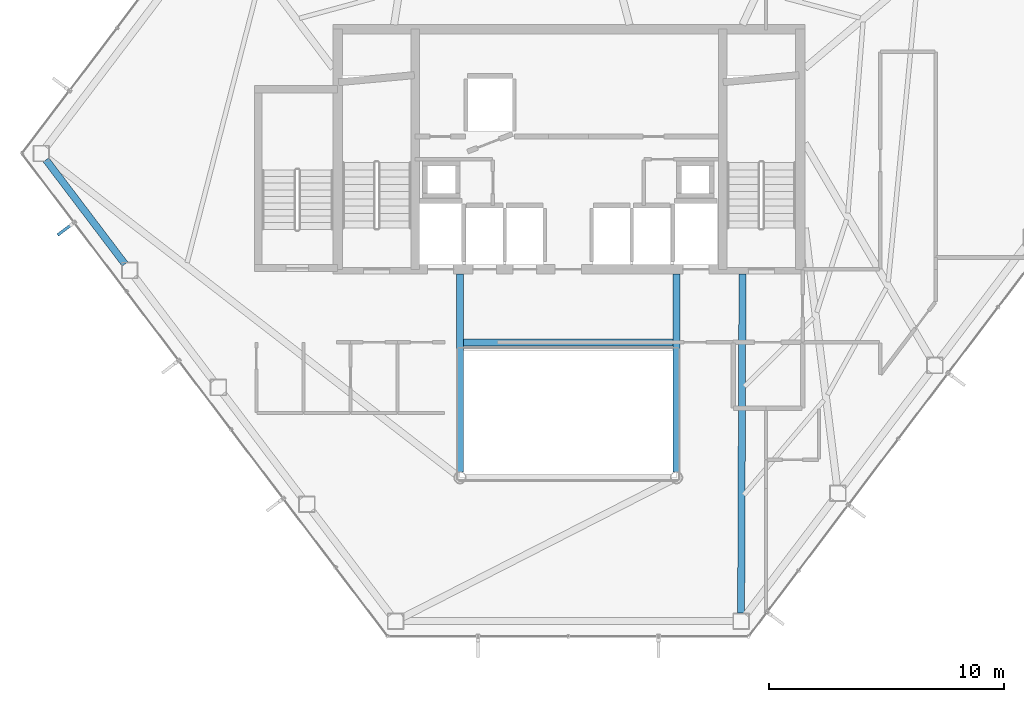
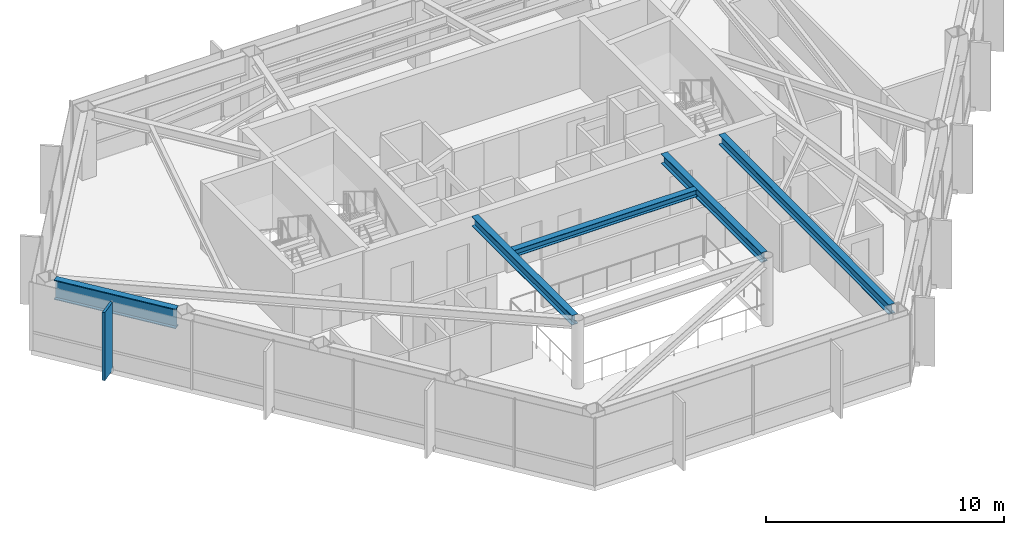
# One storey, part 9 of 28: 5 beams, 1 member, 1 element without a shape of its own.
"""IFC4 building model written with IfcOpenShell, lengths in metres."""

from ifc_helpers import new_model, si_unit, direction, frame, origin, origin_2d, place, context, subcontext, project, spatial, rectangle, i_section, extrude, material, layer, layer_set, material_profile, profile_set, type_object, element, aggregate, save


model = new_model("IFC4")

# Units and contexts
model_context = context("Model", 3, precision=1e-05, world=origin(), true_north=direction((0.0, 1.0)))
body_context = subcontext(model_context, "Body", "Model", "MODEL_VIEW")
ifc_project = project(units=[si_unit("LENGTHUNIT", "METRE"), si_unit("AREAUNIT", "SQUARE_METRE"), si_unit("VOLUMEUNIT", "CUBIC_METRE"), si_unit("PLANEANGLEUNIT", "RADIAN"), si_unit("MASSUNIT", "GRAM", prefix="KILO")], contexts=[model_context])

# Site, building, storey
site_placement = place(None, origin())
site = spatial("IfcSite", under=ifc_project, at=site_placement, CompositionType="ELEMENT")
building_placement = place(site_placement, origin())
building = spatial("IfcBuilding", under=site, at=building_placement, Name="Zarrinselat Tower", CompositionType="ELEMENT")
storey_placement = place(building_placement, frame((0.0, 0.0, 168.300048828125)))
storey = spatial("IfcBuildingStorey", under=building, at=storey_placement, Name="L41", CompositionType="ELEMENT", Elevation=168.300048828125)

# Beams
ifc_material_1 = material(Name="Steel S355J2", Category="steel")
ifc_material_profile_1 = material_profile(ifc_material_1, i_section(OverallWidth=0.300048828125, OverallDepth=0.35009765625, WebThickness=0.010009765625, FlangeThickness=0.017578125, at=origin_2d()), Name="HEA 360")
ifc_profile_set_1 = profile_set([ifc_material_profile_1], Name="Steel S355J2")
beam_type_1 = type_object("IfcBeamType", Name="BM-HEA360", PredefinedType="LINTEL", material=ifc_profile_set_1)
beam_1_placement = place(storey_placement, frame((33.93994140625, 30.14990234375, 3.324951171875), z_axis=(1.0, 0.0, 0.0), x_axis=(0.0, 1.0, 0.0)))
element("IfcBeam", 1, at=beam_1_placement, inside=storey, type_object=beam_type_1, Name="L41 Lift Lobby Ceiling Beam", PredefinedType="LINTEL", context=body_context, shape_type="SweptSolid", body=[
    extrude(i_section(OverallWidth=0.300048828125, OverallDepth=0.35009765625, WebThickness=0.010009765625, FlangeThickness=0.017578125, at=origin_2d()), origin(), (0.0, 0.0, 1.0), 8.920166015625),
])
ifc_material_2 = material(Name="Steel S355J2", Category="steel")
ifc_material_profile_2 = material_profile(ifc_material_2, i_section(OverallWidth=0.300048828125, OverallDepth=0.5, WebThickness=0.014404296875, FlangeThickness=0.028076171875, at=origin_2d()), Name="HEB 500")
ifc_profile_set_2 = profile_set([ifc_material_profile_2], Name="Steel S355J2")
beam_type_2 = type_object("IfcBeamType", Name="BM-HEB500", PredefinedType="BEAM", material=ifc_profile_set_2)
for number, where, z_axis, x_axis, name in (
    (2, (33.800048828125, 24.639892578125, 3.25), (0.0, 1.0, 0.0), (-1.0, 0.0, 0.0), "L41 Atrium Edge Beam W"),
    (3, (43.0, 24.639892578125, 3.25), (0.0, 1.0, 0.0), (-1.0, 0.0, 0.0), "L41 Atrium Edge Beam E"),
):
    element("IfcBeam", number, at=place(storey_placement, frame(where, z_axis=z_axis, x_axis=x_axis)), inside=storey, type_object=beam_type_2, Name=name, PredefinedType="BEAM", context=body_context, shape_type="SweptSolid", body=[
        extrude(i_section(OverallWidth=0.300048828125, OverallDepth=0.5, WebThickness=0.014404296875, FlangeThickness=0.028076171875, at=origin_2d()), origin(), (0.0, 0.0, 1.0), 8.420166015625),
    ])
beam_2_placement = place(storey_placement, frame((45.74072265625, 18.6552734375, 3.25), z_axis=(0.004118469529, 0.999991519068, 0.0), x_axis=(-0.999991519068, 0.004118469529, 0.0)))
element("IfcBeam", 4, at=beam_2_placement, inside=storey, type_object=beam_type_2, Name="L41 Radial Primary Girder RG11", PredefinedType="BEAM", context=body_context, shape_type="SweptSolid", body=[
    extrude(i_section(OverallWidth=0.300048828125, OverallDepth=0.5, WebThickness=0.014404296875, FlangeThickness=0.028076171875, at=origin_2d()), origin(), (0.0, 0.0, 1.0), 14.405029296875),
])
ifc_material_3 = material(Name="Steel S460M", Category="steel")
ifc_material_profile_3 = material_profile(ifc_material_3, i_section(OverallWidth=0.302001953125, OverallDepth=1.008056640625, WebThickness=0.02099609375, FlangeThickness=0.0400390625, at=origin_2d()), Name="HEM 1000")
ifc_profile_set_3 = profile_set([ifc_material_profile_3], Name="Steel S460M")
beam_type_3 = type_object("IfcBeamType", Name="BM-HEM1000", PredefinedType="BEAM", material=ifc_profile_set_3)
beam_3_placement = place(storey_placement, frame((16.21337890625, 37.901611328125, 2.995849609375), z_axis=(0.60386022629, -0.797090225198, 0.0), x_axis=(0.797090225198, 0.60386022629, 0.0)))
element("IfcBeam", 5, at=beam_3_placement, inside=storey, type_object=beam_type_3, Name="L41 Perimeter Spandrel Girder SP06", PredefinedType="BEAM", context=body_context, shape_type="SweptSolid", body=[
    extrude(i_section(OverallWidth=0.302001953125, OverallDepth=1.008056640625, WebThickness=0.02099609375, FlangeThickness=0.0400390625, at=origin_2d()), origin(), (0.0, 0.0, 1.0), 5.555419921875),
])

# Curtain wall, member
ifc_material_4 = material(Name="Extruded Aluminium Alloy EN AW-6063 T6", Category="aluminium")
ifc_layer = layer(ifc_material_4, 0.175048828125)
ifc_layer_set = layer_set([ifc_layer], Name="Extruded Aluminium Alloy EN AW-6063 T6")
curtain_wall_type = type_object("IfcCurtainWallType", Name="CWS-HTL", PredefinedType="NOTDEFINED", material=ifc_layer_set)
curtain_wall_placement = place(storey_placement, origin())
curtain_wall = element("IfcCurtainWall", 6, at=curtain_wall_placement, inside=storey, type_object=curtain_wall_type, Name="L41 Unitised Curtain Wall CW-L41-E03", PredefinedType="NOTDEFINED")
ifc_material_5 = material(Name="Honed Cream Travertine Stone", Category="masonry")
ifc_material_profile_4 = material_profile(ifc_material_5, rectangle(XDim=0.1201171875, YDim=0.85009765625, at=origin_2d()), Name="FIN 850x120")
ifc_profile_set_4 = profile_set([ifc_material_profile_4], Name="Honed Cream Travertine Stone")
member_type = type_object("IfcMemberType", Name="MEM-STONE-FIN", PredefinedType="USERDEFINED", material=ifc_profile_set_4)
member_placement = place(storey_placement, frame((17.047607421875, 34.962158203125, 0.0), z_axis=(0.0, 0.0, 1.0), x_axis=(-0.603857987184, 0.797091921496, 0.0)))
member = element("IfcMember", 7, at=member_placement, type_object=member_type, Name="L41 Stone Shading Fin CW-L41-E03-01", ObjectType="FIN", PredefinedType="USERDEFINED", context=body_context, shape_type="SweptSolid", body=[
    extrude(rectangle(XDim=0.1201171875, YDim=0.85009765625, at=origin_2d()), origin(), (0.0, 0.0, 1.0), 3.5),
])
aggregate(curtain_wall, [member])

save(model, "model.ifc")
